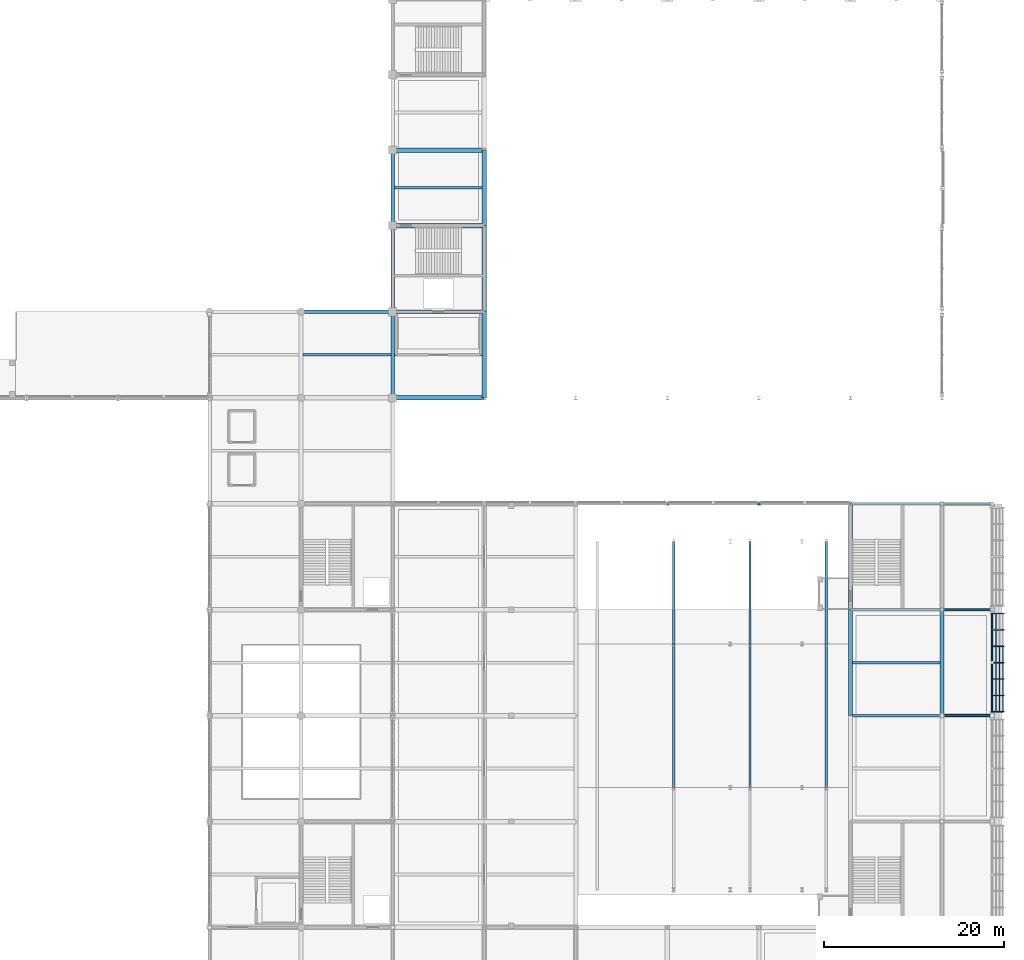
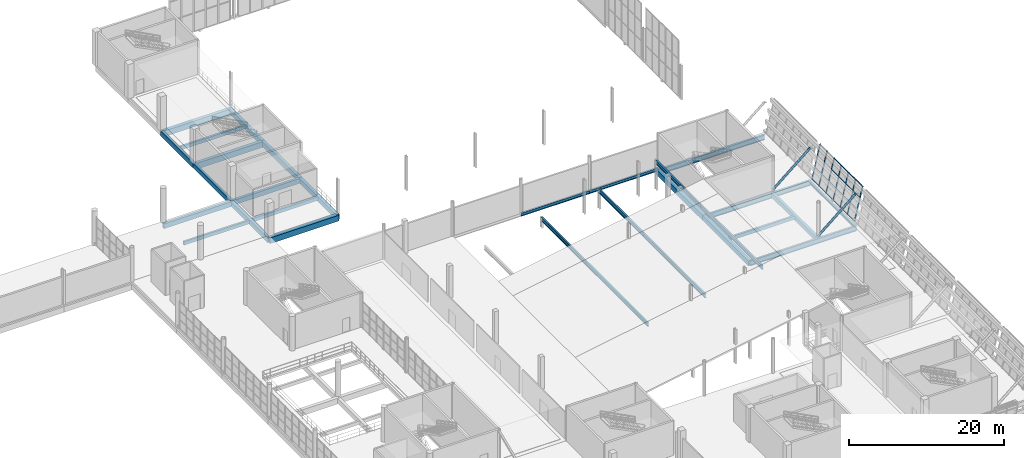
# One storey, part 79 of 175: 30 beams, 29 members, 1 element without a shape of its own.
"""IFC4 building model written with IfcOpenShell, lengths in metres."""

from ifc_helpers import new_model, si_unit, direction, frame, origin, origin_2d, place, context, subcontext, project, spatial, rectangle, hollow_rectangle, hollow_circle, i_section, extrude, material, material_profile, profile_set, type_object, element, aggregate, save


model = new_model("IFC4")

# Units and contexts
model_context = context("Model", 3, precision=1e-05, world=origin(), true_north=direction((0.0, 1.0)))
body_context = subcontext(model_context, "Body", "Model", "MODEL_VIEW")
ifc_project = project(units=[si_unit("LENGTHUNIT", "METRE"), si_unit("AREAUNIT", "SQUARE_METRE"), si_unit("VOLUMEUNIT", "CUBIC_METRE"), si_unit("PLANEANGLEUNIT", "RADIAN"), si_unit("MASSUNIT", "GRAM", prefix="KILO")], contexts=[model_context])

# Site, building, storey
site_placement = place(None, origin())
site = spatial("IfcSite", under=ifc_project, at=site_placement, CompositionType="ELEMENT")
building_placement = place(site_placement, origin())
building = spatial("IfcBuilding", under=site, at=building_placement, Name="Brelvane Convention Centre", CompositionType="ELEMENT")
storey_placement = place(building_placement, frame((0.0, 0.0, 5.39990234375)))
storey = spatial("IfcBuildingStorey", under=building, at=storey_placement, Name="L01", CompositionType="ELEMENT", Elevation=5.39990234375)

# Curtain wall, members
ifc_material_1 = material(Name="Anodised Aluminium Alloy 6063-T6", Category="aluminium")
curtain_wall_type = type_object("IfcCurtainWallType", Name="Curtain Wall CW-PLEN-E", PredefinedType="USERDEFINED", material=ifc_material_1)
curtain_wall_placement = place(storey_placement, origin())
curtain_wall = element("IfcCurtainWall", 1, at=curtain_wall_placement, inside=storey, type_object=curtain_wall_type, Name="Curtain Wall CW-PLEN-E L01-HULL-E-L01-5", ObjectType="UNITISED", PredefinedType="USERDEFINED")
ifc_material_2 = material(Name="Anodised Aluminium Alloy 6063-T6", Category="aluminium")
ifc_material_profile_1 = material_profile(ifc_material_2, hollow_rectangle(XDim=0.074951171875, YDim=0.199951171875, WallThickness=0.0048828125, InnerFilletRadius=0.0048828125, OuterFilletRadius=0.010009765625, at=origin_2d()), Name="ALU-M 200x75x5.0")
ifc_profile_set_1 = profile_set([ifc_material_profile_1], Name="Anodised Aluminium Alloy 6063-T6")
member_type_1 = type_object("IfcMemberType", Name="Curtain Mullion CW-M2", PredefinedType="MULLION", material=ifc_profile_set_1)
member_1_placement = place(storey_placement, frame((230.0, 64.637451171875, 0.0), z_axis=(0.228360162456, 0.0, 0.973576723326), x_axis=(0.0, 1.0, 0.0)))
member_1 = element("IfcMember", 2, at=member_1_placement, type_object=member_type_1, Name="CW-PLEN-E mullion 1", PredefinedType="MULLION", context=body_context, shape_type="SweptSolid", body=[
    extrude(hollow_rectangle(XDim=0.074951171875, YDim=0.199951171875, WallThickness=0.0048828125, InnerFilletRadius=0.0048828125, OuterFilletRadius=0.010009765625, at=origin_2d()), origin(), (0.0, 0.0, 1.0), 5.2900390625),
])
member_2_placement = place(storey_placement, frame((230.0, 66.433349609375, 0.0), z_axis=(0.228360162456, 0.0, 0.973576723326), x_axis=(0.0, 1.0, 0.0)))
member_2 = element("IfcMember", 3, at=member_2_placement, type_object=member_type_1, Name="CW-PLEN-E mullion 2", PredefinedType="MULLION", context=body_context, shape_type="SweptSolid", body=[
    extrude(hollow_rectangle(XDim=0.074951171875, YDim=0.199951171875, WallThickness=0.0048828125, InnerFilletRadius=0.0048828125, OuterFilletRadius=0.010009765625, at=origin_2d()), origin(), (0.0, 0.0, 1.0), 5.2900390625),
])
member_3_placement = place(storey_placement, frame((230.0, 68.2666015625, 0.0), z_axis=(0.228360162456, 0.0, 0.973576723326), x_axis=(0.0, 1.0, 0.0)))
member_3 = element("IfcMember", 4, at=member_3_placement, type_object=member_type_1, Name="CW-PLEN-E mullion 3", PredefinedType="MULLION", context=body_context, shape_type="SweptSolid", body=[
    extrude(hollow_rectangle(XDim=0.074951171875, YDim=0.199951171875, WallThickness=0.0048828125, InnerFilletRadius=0.0048828125, OuterFilletRadius=0.010009765625, at=origin_2d()), origin(), (0.0, 0.0, 1.0), 5.2900390625),
])
member_4_placement = place(storey_placement, frame((230.0, 70.10009765625, 0.0), z_axis=(0.228360162456, 0.0, 0.973576723326), x_axis=(0.0, 1.0, 0.0)))
member_4 = element("IfcMember", 5, at=member_4_placement, type_object=member_type_1, Name="CW-PLEN-E mullion 4", PredefinedType="MULLION", context=body_context, shape_type="SweptSolid", body=[
    extrude(hollow_rectangle(XDim=0.074951171875, YDim=0.199951171875, WallThickness=0.0048828125, InnerFilletRadius=0.0048828125, OuterFilletRadius=0.010009765625, at=origin_2d()), origin(), (0.0, 0.0, 1.0), 5.2900390625),
])
member_5_placement = place(storey_placement, frame((230.0, 71.933349609375, 0.0), z_axis=(0.228360162456, 0.0, 0.973576723326), x_axis=(0.0, 1.0, 0.0)))
member_5 = element("IfcMember", 6, at=member_5_placement, type_object=member_type_1, Name="CW-PLEN-E mullion 5", PredefinedType="MULLION", context=body_context, shape_type="SweptSolid", body=[
    extrude(hollow_rectangle(XDim=0.074951171875, YDim=0.199951171875, WallThickness=0.0048828125, InnerFilletRadius=0.0048828125, OuterFilletRadius=0.010009765625, at=origin_2d()), origin(), (0.0, 0.0, 1.0), 5.2900390625),
])
member_6_placement = place(storey_placement, frame((230.0, 73.7666015625, 0.0), z_axis=(0.228360162456, 0.0, 0.973576723326), x_axis=(0.0, 1.0, 0.0)))
member_6 = element("IfcMember", 7, at=member_6_placement, type_object=member_type_1, Name="CW-PLEN-E mullion 6", PredefinedType="MULLION", context=body_context, shape_type="SweptSolid", body=[
    extrude(hollow_rectangle(XDim=0.074951171875, YDim=0.199951171875, WallThickness=0.0048828125, InnerFilletRadius=0.0048828125, OuterFilletRadius=0.010009765625, at=origin_2d()), origin(), (0.0, 0.0, 1.0), 5.2900390625),
])
member_7_placement = place(storey_placement, frame((230.0, 75.5625, 0.0), z_axis=(0.228360162456, 0.0, 0.973576723326), x_axis=(0.0, 1.0, 0.0)))
member_7 = element("IfcMember", 8, at=member_7_placement, type_object=member_type_1, Name="CW-PLEN-E mullion 7", PredefinedType="MULLION", context=body_context, shape_type="SweptSolid", body=[
    extrude(hollow_rectangle(XDim=0.074951171875, YDim=0.199951171875, WallThickness=0.0048828125, InnerFilletRadius=0.0048828125, OuterFilletRadius=0.010009765625, at=origin_2d()), origin(), (0.0, 0.0, 1.0), 5.2900390625),
])
ifc_material_3 = material(Name="Anodised Aluminium Alloy 6063-T6", Category="aluminium")
ifc_material_profile_2 = material_profile(ifc_material_3, hollow_rectangle(XDim=0.070068359375, YDim=0.14990234375, WallThickness=0.00439453125, InnerFilletRadius=0.00439453125, OuterFilletRadius=0.009033203125, at=origin_2d()), Name="ALU-T 150x70x4.5")
ifc_profile_set_2 = profile_set([ifc_material_profile_2], Name="Anodised Aluminium Alloy 6063-T6")
member_type_2 = type_object("IfcMemberType", Name="Curtain Transom CW-T2", PredefinedType="USERDEFINED", material=ifc_profile_set_2)
member_8_placement = place(storey_placement, frame((230.00830078125, 64.675048828125, 0.03515625), z_axis=(0.0, 1.0, 0.0), x_axis=(-1.0, 0.0, 0.0)))
member_8 = element("IfcMember", 9, at=member_8_placement, type_object=member_type_2, Name="CW-PLEN-E transom 1.1", ObjectType="TRANSOM", PredefinedType="USERDEFINED", context=body_context, shape_type="SweptSolid", body=[
    extrude(hollow_rectangle(XDim=0.070068359375, YDim=0.14990234375, WallThickness=0.00439453125, InnerFilletRadius=0.00439453125, OuterFilletRadius=0.009033203125, at=origin_2d()), origin(), (0.0, 0.0, 1.0), 1.720703125),
])
member_9_placement = place(storey_placement, frame((230.402587890625, 64.675048828125, 1.716796875), z_axis=(0.0, 1.0, 0.0), x_axis=(-1.0, 0.0, 0.0)))
member_9 = element("IfcMember", 10, at=member_9_placement, type_object=member_type_2, Name="CW-PLEN-E transom 1.2", ObjectType="TRANSOM", PredefinedType="USERDEFINED", context=body_context, shape_type="SweptSolid", body=[
    extrude(hollow_rectangle(XDim=0.070068359375, YDim=0.14990234375, WallThickness=0.00439453125, InnerFilletRadius=0.00439453125, OuterFilletRadius=0.009033203125, at=origin_2d()), origin(), (0.0, 0.0, 1.0), 1.720703125),
])
member_10_placement = place(storey_placement, frame((230.80517578125, 64.675048828125, 3.433349609375), z_axis=(0.0, 1.0, 0.0), x_axis=(-1.0, 0.0, 0.0)))
member_10 = element("IfcMember", 11, at=member_10_placement, type_object=member_type_2, Name="CW-PLEN-E transom 1.3", ObjectType="TRANSOM", PredefinedType="USERDEFINED", context=body_context, shape_type="SweptSolid", body=[
    extrude(hollow_rectangle(XDim=0.070068359375, YDim=0.14990234375, WallThickness=0.00439453125, InnerFilletRadius=0.00439453125, OuterFilletRadius=0.009033203125, at=origin_2d()), origin(), (0.0, 0.0, 1.0), 1.720703125),
])
member_11_placement = place(storey_placement, frame((231.19970703125, 64.675048828125, 5.114990234375), z_axis=(0.0, 1.0, 0.0), x_axis=(-1.0, 0.0, 0.0)))
member_11 = element("IfcMember", 12, at=member_11_placement, type_object=member_type_2, Name="CW-PLEN-E transom 1.4", ObjectType="TRANSOM", PredefinedType="USERDEFINED", context=body_context, shape_type="SweptSolid", body=[
    extrude(hollow_rectangle(XDim=0.070068359375, YDim=0.14990234375, WallThickness=0.00439453125, InnerFilletRadius=0.00439453125, OuterFilletRadius=0.009033203125, at=origin_2d()), origin(), (0.0, 0.0, 1.0), 1.720703125),
])
member_12_placement = place(storey_placement, frame((230.00830078125, 66.470947265625, 0.03515625), z_axis=(0.0, 1.0, 0.0), x_axis=(-1.0, 0.0, 0.0)))
member_12 = element("IfcMember", 13, at=member_12_placement, type_object=member_type_2, Name="CW-PLEN-E transom 2.1", ObjectType="TRANSOM", PredefinedType="USERDEFINED", context=body_context, shape_type="SweptSolid", body=[
    extrude(hollow_rectangle(XDim=0.070068359375, YDim=0.14990234375, WallThickness=0.00439453125, InnerFilletRadius=0.00439453125, OuterFilletRadius=0.009033203125, at=origin_2d()), origin(), (0.0, 0.0, 1.0), 1.75830078125),
])
member_13_placement = place(storey_placement, frame((230.402587890625, 66.470947265625, 1.716796875), z_axis=(0.0, 1.0, 0.0), x_axis=(-1.0, 0.0, 0.0)))
member_13 = element("IfcMember", 14, at=member_13_placement, type_object=member_type_2, Name="CW-PLEN-E transom 2.2", ObjectType="TRANSOM", PredefinedType="USERDEFINED", context=body_context, shape_type="SweptSolid", body=[
    extrude(hollow_rectangle(XDim=0.070068359375, YDim=0.14990234375, WallThickness=0.00439453125, InnerFilletRadius=0.00439453125, OuterFilletRadius=0.009033203125, at=origin_2d()), origin(), (0.0, 0.0, 1.0), 1.75830078125),
])
member_14_placement = place(storey_placement, frame((230.80517578125, 66.470947265625, 3.433349609375), z_axis=(0.0, 1.0, 0.0), x_axis=(-1.0, 0.0, 0.0)))
member_14 = element("IfcMember", 15, at=member_14_placement, type_object=member_type_2, Name="CW-PLEN-E transom 2.3", ObjectType="TRANSOM", PredefinedType="USERDEFINED", context=body_context, shape_type="SweptSolid", body=[
    extrude(hollow_rectangle(XDim=0.070068359375, YDim=0.14990234375, WallThickness=0.00439453125, InnerFilletRadius=0.00439453125, OuterFilletRadius=0.009033203125, at=origin_2d()), origin(), (0.0, 0.0, 1.0), 1.75830078125),
])
member_15_placement = place(storey_placement, frame((231.19970703125, 66.470947265625, 5.114990234375), z_axis=(0.0, 1.0, 0.0), x_axis=(-1.0, 0.0, 0.0)))
member_15 = element("IfcMember", 16, at=member_15_placement, type_object=member_type_2, Name="CW-PLEN-E transom 2.4", ObjectType="TRANSOM", PredefinedType="USERDEFINED", context=body_context, shape_type="SweptSolid", body=[
    extrude(hollow_rectangle(XDim=0.070068359375, YDim=0.14990234375, WallThickness=0.00439453125, InnerFilletRadius=0.00439453125, OuterFilletRadius=0.009033203125, at=origin_2d()), origin(), (0.0, 0.0, 1.0), 1.75830078125),
])
member_16_placement = place(storey_placement, frame((230.00830078125, 68.30419921875, 0.03515625), z_axis=(0.0, 1.0, 0.0), x_axis=(-1.0, 0.0, 0.0)))
member_16 = element("IfcMember", 17, at=member_16_placement, type_object=member_type_2, Name="CW-PLEN-E transom 3.1", ObjectType="TRANSOM", PredefinedType="USERDEFINED", context=body_context, shape_type="SweptSolid", body=[
    extrude(hollow_rectangle(XDim=0.070068359375, YDim=0.14990234375, WallThickness=0.00439453125, InnerFilletRadius=0.00439453125, OuterFilletRadius=0.009033203125, at=origin_2d()), origin(), (0.0, 0.0, 1.0), 1.75830078125),
])
member_17_placement = place(storey_placement, frame((230.402587890625, 68.30419921875, 1.716796875), z_axis=(0.0, 1.0, 0.0), x_axis=(-1.0, 0.0, 0.0)))
member_17 = element("IfcMember", 18, at=member_17_placement, type_object=member_type_2, Name="CW-PLEN-E transom 3.2", ObjectType="TRANSOM", PredefinedType="USERDEFINED", context=body_context, shape_type="SweptSolid", body=[
    extrude(hollow_rectangle(XDim=0.070068359375, YDim=0.14990234375, WallThickness=0.00439453125, InnerFilletRadius=0.00439453125, OuterFilletRadius=0.009033203125, at=origin_2d()), origin(), (0.0, 0.0, 1.0), 1.75830078125),
])
member_18_placement = place(storey_placement, frame((230.80517578125, 68.30419921875, 3.433349609375), z_axis=(0.0, 1.0, 0.0), x_axis=(-1.0, 0.0, 0.0)))
member_18 = element("IfcMember", 19, at=member_18_placement, type_object=member_type_2, Name="CW-PLEN-E transom 3.3", ObjectType="TRANSOM", PredefinedType="USERDEFINED", context=body_context, shape_type="SweptSolid", body=[
    extrude(hollow_rectangle(XDim=0.070068359375, YDim=0.14990234375, WallThickness=0.00439453125, InnerFilletRadius=0.00439453125, OuterFilletRadius=0.009033203125, at=origin_2d()), origin(), (0.0, 0.0, 1.0), 1.75830078125),
])
member_19_placement = place(storey_placement, frame((231.19970703125, 68.30419921875, 5.114990234375), z_axis=(0.0, 1.0, 0.0), x_axis=(-1.0, 0.0, 0.0)))
member_19 = element("IfcMember", 20, at=member_19_placement, type_object=member_type_2, Name="CW-PLEN-E transom 3.4", ObjectType="TRANSOM", PredefinedType="USERDEFINED", context=body_context, shape_type="SweptSolid", body=[
    extrude(hollow_rectangle(XDim=0.070068359375, YDim=0.14990234375, WallThickness=0.00439453125, InnerFilletRadius=0.00439453125, OuterFilletRadius=0.009033203125, at=origin_2d()), origin(), (0.0, 0.0, 1.0), 1.75830078125),
])
member_20_placement = place(storey_placement, frame((230.00830078125, 70.137451171875, 0.03515625), z_axis=(0.0, 1.0, 0.0), x_axis=(-1.0, 0.0, 0.0)))
member_20 = element("IfcMember", 21, at=member_20_placement, type_object=member_type_2, Name="CW-PLEN-E transom 4.1", ObjectType="TRANSOM", PredefinedType="USERDEFINED", context=body_context, shape_type="SweptSolid", body=[
    extrude(hollow_rectangle(XDim=0.070068359375, YDim=0.14990234375, WallThickness=0.00439453125, InnerFilletRadius=0.00439453125, OuterFilletRadius=0.009033203125, at=origin_2d()), origin(), (0.0, 0.0, 1.0), 1.75830078125),
])
member_21_placement = place(storey_placement, frame((230.402587890625, 70.137451171875, 1.716796875), z_axis=(0.0, 1.0, 0.0), x_axis=(-1.0, 0.0, 0.0)))
member_21 = element("IfcMember", 22, at=member_21_placement, type_object=member_type_2, Name="CW-PLEN-E transom 4.2", ObjectType="TRANSOM", PredefinedType="USERDEFINED", context=body_context, shape_type="SweptSolid", body=[
    extrude(hollow_rectangle(XDim=0.070068359375, YDim=0.14990234375, WallThickness=0.00439453125, InnerFilletRadius=0.00439453125, OuterFilletRadius=0.009033203125, at=origin_2d()), origin(), (0.0, 0.0, 1.0), 1.75830078125),
])
member_22_placement = place(storey_placement, frame((230.80517578125, 70.137451171875, 3.433349609375), z_axis=(0.0, 1.0, 0.0), x_axis=(-1.0, 0.0, 0.0)))
member_22 = element("IfcMember", 23, at=member_22_placement, type_object=member_type_2, Name="CW-PLEN-E transom 4.3", ObjectType="TRANSOM", PredefinedType="USERDEFINED", context=body_context, shape_type="SweptSolid", body=[
    extrude(hollow_rectangle(XDim=0.070068359375, YDim=0.14990234375, WallThickness=0.00439453125, InnerFilletRadius=0.00439453125, OuterFilletRadius=0.009033203125, at=origin_2d()), origin(), (0.0, 0.0, 1.0), 1.75830078125),
])
member_23_placement = place(storey_placement, frame((231.19970703125, 70.137451171875, 5.114990234375), z_axis=(0.0, 1.0, 0.0), x_axis=(-1.0, 0.0, 0.0)))
member_23 = element("IfcMember", 24, at=member_23_placement, type_object=member_type_2, Name="CW-PLEN-E transom 4.4", ObjectType="TRANSOM", PredefinedType="USERDEFINED", context=body_context, shape_type="SweptSolid", body=[
    extrude(hollow_rectangle(XDim=0.070068359375, YDim=0.14990234375, WallThickness=0.00439453125, InnerFilletRadius=0.00439453125, OuterFilletRadius=0.009033203125, at=origin_2d()), origin(), (0.0, 0.0, 1.0), 1.75830078125),
])
member_24_placement = place(storey_placement, frame((230.00830078125, 71.970947265625, 0.03515625), z_axis=(0.0, 1.0, 0.0), x_axis=(-1.0, 0.0, 0.0)))
member_24 = element("IfcMember", 25, at=member_24_placement, type_object=member_type_2, Name="CW-PLEN-E transom 5.1", ObjectType="TRANSOM", PredefinedType="USERDEFINED", context=body_context, shape_type="SweptSolid", body=[
    extrude(hollow_rectangle(XDim=0.070068359375, YDim=0.14990234375, WallThickness=0.00439453125, InnerFilletRadius=0.00439453125, OuterFilletRadius=0.009033203125, at=origin_2d()), origin(), (0.0, 0.0, 1.0), 1.75830078125),
])
member_25_placement = place(storey_placement, frame((230.402587890625, 71.970947265625, 1.716796875), z_axis=(0.0, 1.0, 0.0), x_axis=(-1.0, 0.0, 0.0)))
member_25 = element("IfcMember", 26, at=member_25_placement, type_object=member_type_2, Name="CW-PLEN-E transom 5.2", ObjectType="TRANSOM", PredefinedType="USERDEFINED", context=body_context, shape_type="SweptSolid", body=[
    extrude(hollow_rectangle(XDim=0.070068359375, YDim=0.14990234375, WallThickness=0.00439453125, InnerFilletRadius=0.00439453125, OuterFilletRadius=0.009033203125, at=origin_2d()), origin(), (0.0, 0.0, 1.0), 1.75830078125),
])
member_26_placement = place(storey_placement, frame((230.00830078125, 73.80419921875, 0.03515625), z_axis=(0.0, 1.0, 0.0), x_axis=(-1.0, 0.0, 0.0)))
member_26 = element("IfcMember", 27, at=member_26_placement, type_object=member_type_2, Name="CW-PLEN-E transom 6.1", ObjectType="TRANSOM", PredefinedType="USERDEFINED", context=body_context, shape_type="SweptSolid", body=[
    extrude(hollow_rectangle(XDim=0.070068359375, YDim=0.14990234375, WallThickness=0.00439453125, InnerFilletRadius=0.00439453125, OuterFilletRadius=0.009033203125, at=origin_2d()), origin(), (0.0, 0.0, 1.0), 1.720703125),
])
member_27_placement = place(storey_placement, frame((230.402587890625, 73.80419921875, 1.716796875), z_axis=(0.0, 1.0, 0.0), x_axis=(-1.0, 0.0, 0.0)))
member_27 = element("IfcMember", 28, at=member_27_placement, type_object=member_type_2, Name="CW-PLEN-E transom 6.2", ObjectType="TRANSOM", PredefinedType="USERDEFINED", context=body_context, shape_type="SweptSolid", body=[
    extrude(hollow_rectangle(XDim=0.070068359375, YDim=0.14990234375, WallThickness=0.00439453125, InnerFilletRadius=0.00439453125, OuterFilletRadius=0.009033203125, at=origin_2d()), origin(), (0.0, 0.0, 1.0), 1.720703125),
])
aggregate(curtain_wall, [member_1, member_2, member_3, member_4, member_5, member_6, member_7, member_8, member_9, member_10, member_11, member_12, member_13, member_14, member_15, member_16, member_17, member_18, member_19, member_20, member_21, member_22, member_23, member_24, member_25, member_26, member_27])

# Beams
ifc_material_4 = material(Name="Concrete M40", Category="concrete")
ifc_material_profile_3 = material_profile(ifc_material_4, rectangle(XDim=0.5, YDim=0.89990234375, at=origin_2d()), Name="RC 500x900")
ifc_profile_set_3 = profile_set([ifc_material_profile_3], Name="Concrete M40")
beam_type_1 = type_object("IfcBeamType", Name="RC Beam B-RC4 (RC 500x900)", PredefinedType="BEAM", material=ifc_profile_set_3)
for number, where, z_axis, x_axis, name in (
    (29, (163.199951171875, 99.60009765625, -0.7099609375), (1.0, 0.0, 0.0), (0.0, 1.0, 0.0), "L01 Beam 17-18/K"),
    (30, (163.199951171875, 118.800048828125, -0.7099609375), (1.0, 0.0, 0.0), (0.0, 1.0, 0.0), "L01 Beam 17-18/M"),
    (31, (163.199951171875, 127.199951171875, -0.7099609375), (1.0, 0.0, 0.0), (0.0, 1.0, 0.0), "L01 Beam 17-18/N"),
):
    element("IfcBeam", number, at=place(storey_placement, frame(where, z_axis=z_axis, x_axis=x_axis)), inside=storey, type_object=beam_type_1, Name=name, PredefinedType="BEAM", context=body_context, shape_type="SweptSolid", body=[
        extrude(rectangle(XDim=0.5, YDim=0.89990234375, at=origin_2d()), origin(), (0.0, 0.0, 1.0), 10.199951171875),
    ])
ifc_material_5 = material(Name="Concrete M40", Category="concrete")
ifc_material_profile_4 = material_profile(ifc_material_5, rectangle(XDim=0.449951171875, YDim=0.800048828125, at=origin_2d()), Name="RC 450x800")
ifc_profile_set_4 = profile_set([ifc_material_profile_4], Name="Concrete M40")
beam_type_2 = type_object("IfcBeamType", Name="RC Beam B-RC5 (RC 450x800)", PredefinedType="BEAM", material=ifc_profile_set_4)
beam_1_placement = place(storey_placement, frame((173.39990234375, 99.60009765625, -0.659912109375), z_axis=(0.0, 1.0, 0.0), x_axis=(-1.0, 0.0, 0.0)))
element("IfcBeam", 32, at=beam_1_placement, inside=storey, type_object=beam_type_2, Name="L01 Girder 18/K-L", PredefinedType="BEAM", context=body_context, shape_type="SweptSolid", body=[
    extrude(rectangle(XDim=0.449951171875, YDim=0.800048828125, at=origin_2d()), origin(), (0.0, 0.0, 1.0), 9.599853515625),
])
beam_2_placement = place(storey_placement, frame((173.39990234375, 109.199951171875, -0.659912109375), z_axis=(0.0, 1.0, 0.0), x_axis=(-1.0, 0.0, 0.0)))
element("IfcBeam", 33, at=beam_2_placement, inside=storey, type_object=beam_type_2, Name="L01 Girder 18/L-M", PredefinedType="BEAM", context=body_context, shape_type="SweptSolid", body=[
    extrude(rectangle(XDim=0.449951171875, YDim=0.800048828125, at=origin_2d()), origin(), (0.0, 0.0, 1.0), 9.60009765625),
])
beam_3_placement = place(storey_placement, frame((173.39990234375, 118.800048828125, -0.659912109375), z_axis=(0.0, 1.0, 0.0), x_axis=(-1.0, 0.0, 0.0)))
element("IfcBeam", 34, at=beam_3_placement, inside=storey, type_object=beam_type_2, Name="L01 Girder 18/M-N", PredefinedType="BEAM", context=body_context, shape_type="SweptSolid", body=[
    extrude(rectangle(XDim=0.449951171875, YDim=0.800048828125, at=origin_2d()), origin(), (0.0, 0.0, 1.0), 8.39990234375),
])
for number, where, z_axis, x_axis, name in (
    (35, (214.199951171875, 64.199951171875, -0.719970703125), (0.0, 1.0, 0.0), (-1.0, 0.0, 0.0), "L01 Girder 22/G-H"),
    (36, (214.199951171875, 76.0, -0.719970703125), (0.0, 1.0, 0.0), (-1.0, 0.0, 0.0), "L01 Girder 22/H-J"),
):
    element("IfcBeam", number, at=place(storey_placement, frame(where, z_axis=z_axis, x_axis=x_axis)), inside=storey, type_object=beam_type_2, Name=name, PredefinedType="BEAM", context=body_context, shape_type="SweptSolid", body=[
        extrude(rectangle(XDim=0.449951171875, YDim=0.800048828125, at=origin_2d()), origin(), (0.0, 0.0, 1.0), 11.800048828125),
    ])
ifc_material_6 = material(Name="Concrete M40", Category="concrete")
ifc_material_profile_5 = material_profile(ifc_material_6, rectangle(XDim=0.300048828125, YDim=0.550048828125, at=origin_2d()), Name="RC 300x550")
ifc_profile_set_5 = profile_set([ifc_material_profile_5], Name="Concrete M40")
beam_type_3 = type_object("IfcBeamType", Name="RC Joist J-RC1 (RC 300x550)", PredefinedType="JOIST", material=ifc_profile_set_5)
beam_4_placement = place(storey_placement, frame((153.22509765625, 104.39990234375, -0.625), z_axis=(1.0, 0.0, 0.0), x_axis=(0.0, 1.0, 0.0)))
element("IfcBeam", 37, at=beam_4_placement, inside=storey, type_object=beam_type_3, Name="L01 Secondary Joist 16-17/KL", PredefinedType="JOIST", context=body_context, shape_type="SweptSolid", body=[
    extrude(rectangle(XDim=0.300048828125, YDim=0.550048828125, at=origin_2d()), origin(), (0.0, 0.0, 1.0), 9.77490234375),
])
for number, where, z_axis, x_axis, name in (
    (38, (163.39990234375, 104.39990234375, -0.534912109375), (1.0, 0.0, 0.0), (0.0, 1.0, 0.0), "L01 Secondary Joist 17-18/KL"),
    (39, (163.39990234375, 123.0, -0.534912109375), (1.0, 0.0, 0.0), (0.0, 1.0, 0.0), "L01 Secondary Joist 17-18/MN"),
):
    element("IfcBeam", number, at=place(storey_placement, frame(where, z_axis=z_axis, x_axis=x_axis)), inside=storey, type_object=beam_type_3, Name=name, PredefinedType="JOIST", context=body_context, shape_type="SweptSolid", body=[
        extrude(rectangle(XDim=0.300048828125, YDim=0.550048828125, at=origin_2d()), origin(), (0.0, 0.0, 1.0), 9.775146484375),
    ])
beam_5_placement = place(storey_placement, frame((214.425048828125, 70.10009765625, -0.594970703125), z_axis=(1.0, 0.0, 0.0), x_axis=(0.0, 1.0, 0.0)))
element("IfcBeam", 40, at=beam_5_placement, inside=storey, type_object=beam_type_3, Name="L01 Secondary Joist 22-23/GH", PredefinedType="JOIST", context=body_context, shape_type="SweptSolid", body=[
    extrude(rectangle(XDim=0.300048828125, YDim=0.550048828125, at=origin_2d()), origin(), (0.0, 0.0, 1.0), 9.77490234375),
])
ifc_material_7 = material(Name="Concrete M40", Category="concrete")
ifc_material_profile_6 = material_profile(ifc_material_7, rectangle(XDim=0.39990234375, YDim=0.75, at=origin_2d()), Name="RC 400x750")
ifc_profile_set_6 = profile_set([ifc_material_profile_6], Name="Concrete M40")
beam_type_4 = type_object("IfcBeamType", Name="RC Spandrel SP-RC1 (RC 400x750)", PredefinedType="SPANDREL", material=ifc_profile_set_6)
for number, where, z_axis, x_axis, name in (
    (41, (153.0, 109.199951171875, -0.724853515625), (1.0, 0.0, 0.0), (0.0, 1.0, 0.0), "L01 Beam 16-17/L"),
    (42, (163.199951171875, 109.199951171875, -0.635009765625), (1.0, 0.0, 0.0), (0.0, 1.0, 0.0), "L01 Beam 17-18/L"),
):
    element("IfcBeam", number, at=place(storey_placement, frame(where, z_axis=z_axis, x_axis=x_axis)), inside=storey, type_object=beam_type_4, Name=name, PredefinedType="SPANDREL", context=body_context, shape_type="SweptSolid", body=[
        extrude(rectangle(XDim=0.39990234375, YDim=0.75, at=origin_2d()), origin(), (0.0, 0.0, 1.0), 10.199951171875),
    ])
beam_6_placement = place(storey_placement, frame((163.199951171875, 99.60009765625, -0.724853515625), z_axis=(0.0, 1.0, 0.0), x_axis=(-1.0, 0.0, 0.0)))
element("IfcBeam", 43, at=beam_6_placement, inside=storey, type_object=beam_type_4, Name="L01 Girder 17/K-L", PredefinedType="SPANDREL", context=body_context, shape_type="SweptSolid", body=[
    extrude(rectangle(XDim=0.39990234375, YDim=0.75, at=origin_2d()), origin(), (0.0, 0.0, 1.0), 9.599853515625),
])
beam_7_placement = place(storey_placement, frame((163.199951171875, 109.199951171875, -0.635009765625), z_axis=(0.0, 1.0, 0.0), x_axis=(-1.0, 0.0, 0.0)))
element("IfcBeam", 44, at=beam_7_placement, inside=storey, type_object=beam_type_4, Name="L01 Girder 17/L-M", PredefinedType="SPANDREL", context=body_context, shape_type="SweptSolid", body=[
    extrude(rectangle(XDim=0.39990234375, YDim=0.75, at=origin_2d()), origin(), (0.0, 0.0, 1.0), 9.60009765625),
])
beam_8_placement = place(storey_placement, frame((163.199951171875, 118.800048828125, -0.635009765625), z_axis=(0.0, 1.0, 0.0), x_axis=(-1.0, 0.0, 0.0)))
element("IfcBeam", 45, at=beam_8_placement, inside=storey, type_object=beam_type_4, Name="L01 Girder 17/M-N", PredefinedType="SPANDREL", context=body_context, shape_type="SweptSolid", body=[
    extrude(rectangle(XDim=0.39990234375, YDim=0.75, at=origin_2d()), origin(), (0.0, 0.0, 1.0), 8.39990234375),
])
beam_9_placement = place(storey_placement, frame((224.39990234375, 64.199951171875, -0.69482421875), z_axis=(0.0, 1.0, 0.0), x_axis=(-1.0, 0.0, 0.0)))
element("IfcBeam", 46, at=beam_9_placement, inside=storey, type_object=beam_type_4, Name="L01 Girder 23/G-H", PredefinedType="SPANDREL", context=body_context, shape_type="SweptSolid", body=[
    extrude(rectangle(XDim=0.39990234375, YDim=0.75, at=origin_2d()), origin(), (0.0, 0.0, 1.0), 11.800048828125),
])
ifc_material_8 = material(Name="Steel E450 (450 MPa)", Category="steel")
ifc_material_profile_7 = material_profile(ifc_material_8, i_section(OverallWidth=0.300048828125, OverallDepth=0.800048828125, WebThickness=0.015380859375, FlangeThickness=0.030029296875, FilletRadius=0.027099609375, at=origin_2d()), Name="NPB 800x300")
ifc_profile_set_7 = profile_set([ifc_material_profile_7], Name="Steel E450 (450 MPa)")
beam_type_5 = type_object("IfcBeamType", Name="Steel Beam B-ST2 (NPB 800x300)", PredefinedType="BEAM", material=ifc_profile_set_7)
for number, where, z_axis, x_axis, name in (
    (47, (214.199951171875, 64.199951171875, -0.719970703125), (1.0, 0.0, 0.0), (0.0, 1.0, 0.0), "L01 Plenary East Cantilever Girder Y64"),
    (48, (214.199951171875, 76.0, -0.719970703125), (1.0, 0.0, 0.0), (0.0, 1.0, 0.0), "L01 Plenary East Cantilever Girder Y76"),
    (49, (214.199951171875, 87.800048828125, -0.719970703125), (1.0, 0.0, 0.0), (0.0, 1.0, 0.0), "L01 Plenary East Cantilever Girder Y87"),
):
    element("IfcBeam", number, at=place(storey_placement, frame(where, z_axis=z_axis, x_axis=x_axis)), inside=storey, type_object=beam_type_5, Name=name, PredefinedType="BEAM", context=body_context, shape_type="SweptSolid", body=[
        extrude(i_section(OverallWidth=0.300048828125, OverallDepth=0.800048828125, WebThickness=0.015380859375, FlangeThickness=0.030029296875, FilletRadius=0.027099609375, at=origin_2d()), origin(), (0.0, 0.0, 1.0), 15.800048828125),
    ])
ifc_material_9 = material(Name="Steel E350 (350 MPa)", Category="steel")
ifc_material_profile_8 = material_profile(ifc_material_9, i_section(OverallWidth=0.25, OverallDepth=0.60009765625, WebThickness=0.01171875, FlangeThickness=0.023681640625, FilletRadius=0.01806640625, at=origin_2d()), Name="ISWB 600")
ifc_profile_set_8 = profile_set([ifc_material_profile_8], Name="Steel E350 (350 MPa)")
beam_type_6 = type_object("IfcBeamType", Name="Steel Beam B-ST5 (ISWB 600)", PredefinedType="BEAM", material=ifc_profile_set_8)
beam_10_placement = place(storey_placement, frame((194.5, 56.199951171875, 1.360107421875), z_axis=(0.0, 1.0, 0.0), x_axis=(-1.0, 0.0, 0.0)))
element("IfcBeam", 50, at=beam_10_placement, inside=storey, type_object=beam_type_6, Name="Plenary Lower Tier Bearer Beam L2-2", PredefinedType="BEAM", context=body_context, shape_type="SweptSolid", body=[
    extrude(i_section(OverallWidth=0.25, OverallDepth=0.60009765625, WebThickness=0.01171875, FlangeThickness=0.023681640625, FilletRadius=0.01806640625, at=origin_2d()), origin(), (0.0, 0.0, 1.0), 16.0),
])
beam_11_placement = place(storey_placement, frame((194.5, 72.199951171875, 1.360107421875), z_axis=(0.0, 1.0, 0.0), x_axis=(-1.0, 0.0, 0.0)))
element("IfcBeam", 51, at=beam_11_placement, inside=storey, type_object=beam_type_6, Name="Plenary Lower Tier Bearer Beam L2-3", PredefinedType="BEAM", context=body_context, shape_type="SweptSolid", body=[
    extrude(i_section(OverallWidth=0.25, OverallDepth=0.60009765625, WebThickness=0.01171875, FlangeThickness=0.023681640625, FilletRadius=0.01806640625, at=origin_2d()), origin(), (0.0, 0.0, 1.0), 11.400146484375),
])
beam_12_placement = place(storey_placement, frame((203.0, 56.199951171875, 2.860107421875), z_axis=(0.0, 1.0, 0.0), x_axis=(-1.0, 0.0, 0.0)))
element("IfcBeam", 52, at=beam_12_placement, inside=storey, type_object=beam_type_6, Name="Plenary Lower Tier Bearer Beam L3-2", PredefinedType="BEAM", context=body_context, shape_type="SweptSolid", body=[
    extrude(i_section(OverallWidth=0.25, OverallDepth=0.60009765625, WebThickness=0.01171875, FlangeThickness=0.023681640625, FilletRadius=0.01806640625, at=origin_2d()), origin(), (0.0, 0.0, 1.0), 16.0),
])
beam_13_placement = place(storey_placement, frame((203.0, 72.199951171875, 2.860107421875), z_axis=(0.0, 1.0, 0.0), x_axis=(-1.0, 0.0, 0.0)))
element("IfcBeam", 53, at=beam_13_placement, inside=storey, type_object=beam_type_6, Name="Plenary Lower Tier Bearer Beam L3-3", PredefinedType="BEAM", context=body_context, shape_type="SweptSolid", body=[
    extrude(i_section(OverallWidth=0.25, OverallDepth=0.60009765625, WebThickness=0.01171875, FlangeThickness=0.023681640625, FilletRadius=0.01806640625, at=origin_2d()), origin(), (0.0, 0.0, 1.0), 11.400146484375),
])
beam_14_placement = place(storey_placement, frame((211.5, 56.199951171875, 4.360107421875), z_axis=(0.0, 1.0, 0.0), x_axis=(-1.0, 0.0, 0.0)))
element("IfcBeam", 54, at=beam_14_placement, inside=storey, type_object=beam_type_6, Name="Plenary Lower Tier Bearer Beam L4-2", PredefinedType="BEAM", context=body_context, shape_type="SweptSolid", body=[
    extrude(i_section(OverallWidth=0.25, OverallDepth=0.60009765625, WebThickness=0.01171875, FlangeThickness=0.023681640625, FilletRadius=0.01806640625, at=origin_2d()), origin(), (0.0, 0.0, 1.0), 16.0),
])
beam_15_placement = place(storey_placement, frame((211.5, 72.199951171875, 4.360107421875), z_axis=(0.0, 1.0, 0.0), x_axis=(-1.0, 0.0, 0.0)))
element("IfcBeam", 55, at=beam_15_placement, inside=storey, type_object=beam_type_6, Name="Plenary Lower Tier Bearer Beam L4-3", PredefinedType="BEAM", context=body_context, shape_type="SweptSolid", body=[
    extrude(i_section(OverallWidth=0.25, OverallDepth=0.60009765625, WebThickness=0.01171875, FlangeThickness=0.023681640625, FilletRadius=0.01806640625, at=origin_2d()), origin(), (0.0, 0.0, 1.0), 11.400146484375),
])
ifc_material_10 = material(Name="Steel E350 (350 MPa)", Category="steel")
ifc_material_profile_9 = material_profile(ifc_material_10, i_section(OverallWidth=0.25, OverallDepth=0.5, WebThickness=0.010009765625, FlangeThickness=0.0146484375, FilletRadius=0.01611328125, at=origin_2d()), Name="ISWB 500")
ifc_profile_set_9 = profile_set([ifc_material_profile_9], Name="Steel E350 (350 MPa)")
beam_type_7 = type_object("IfcBeamType", Name="Steel Spandrel SP-ST1 (ISWB 500)", PredefinedType="SPANDREL", material=ifc_profile_set_9)
beam_16_placement = place(storey_placement, frame((230.0, 64.199951171875, -0.719970703125), z_axis=(0.0, 1.0, 0.0), x_axis=(-1.0, 0.0, 0.0)))
element("IfcBeam", 56, at=beam_16_placement, inside=storey, type_object=beam_type_7, Name="L01 Plenary Overhang Tip Spandrel 5", PredefinedType="SPANDREL", context=body_context, shape_type="SweptSolid", body=[
    extrude(i_section(OverallWidth=0.25, OverallDepth=0.5, WebThickness=0.010009765625, FlangeThickness=0.0146484375, FilletRadius=0.01611328125, at=origin_2d()), origin(), (0.0, 0.0, 1.0), 11.800048828125),
])
for number, where, z_axis, x_axis, name in (
    (57, (193.800048828125, 87.800048828125, -0.25), (1.0, 0.0, 0.0), (0.0, 1.0, 0.0), "Plenary North Wall Girt L01-4"),
    (58, (204.0, 87.800048828125, -0.25), (1.0, 0.0, 0.0), (0.0, 1.0, 0.0), "Plenary North Wall Girt L01-5"),
):
    element("IfcBeam", number, at=place(storey_placement, frame(where, z_axis=z_axis, x_axis=x_axis)), inside=storey, type_object=beam_type_7, Name=name, PredefinedType="SPANDREL", context=body_context, shape_type="SweptSolid", body=[
        extrude(i_section(OverallWidth=0.25, OverallDepth=0.5, WebThickness=0.010009765625, FlangeThickness=0.0146484375, FilletRadius=0.01611328125, at=origin_2d()), origin(), (0.0, 0.0, 1.0), 10.199951171875),
    ])

# Members
ifc_material_11 = material(Name="Steel E450 (450 MPa)", Category="steel")
ifc_material_profile_10 = material_profile(ifc_material_11, hollow_circle(Radius=0.161865234375, WallThickness=0.012451171875, at=origin_2d()), Name="CHS 323.9x12.5")
ifc_profile_set_10 = profile_set([ifc_material_profile_10], Name="Steel E450 (450 MPa)")
member_type_3 = type_object("IfcMemberType", Name="Steel Strut HS-ST2 (CHS 323.9x12.5)", PredefinedType="STRUT", material=ifc_profile_set_10)
for number, where, z_axis, x_axis, name in (
    (59, (224.39990234375, 64.199951171875, 0.050048828125), (0.767990703815, 0.0, 0.640460989331), (0.0, 1.0, 0.0), "Plenary East Overhang Raked Strut L02 Y64"),
    (60, (224.39990234375, 76.0, 0.050048828125), (0.767990703815, 0.0, 0.640460989331), (0.0, 1.0, 0.0), "Plenary East Overhang Raked Strut L02 Y76"),
):
    element("IfcMember", number, at=place(storey_placement, frame(where, z_axis=z_axis, x_axis=x_axis)), inside=storey, type_object=member_type_3, Name=name, PredefinedType="STRUT", context=body_context, shape_type="SweptSolid", body=[
        extrude(hollow_circle(Radius=0.161865234375, WallThickness=0.012451171875, at=origin_2d()), origin(), (0.0, 0.0, 1.0), 7.2919921875),
    ])

save(model, "model.ifc")
